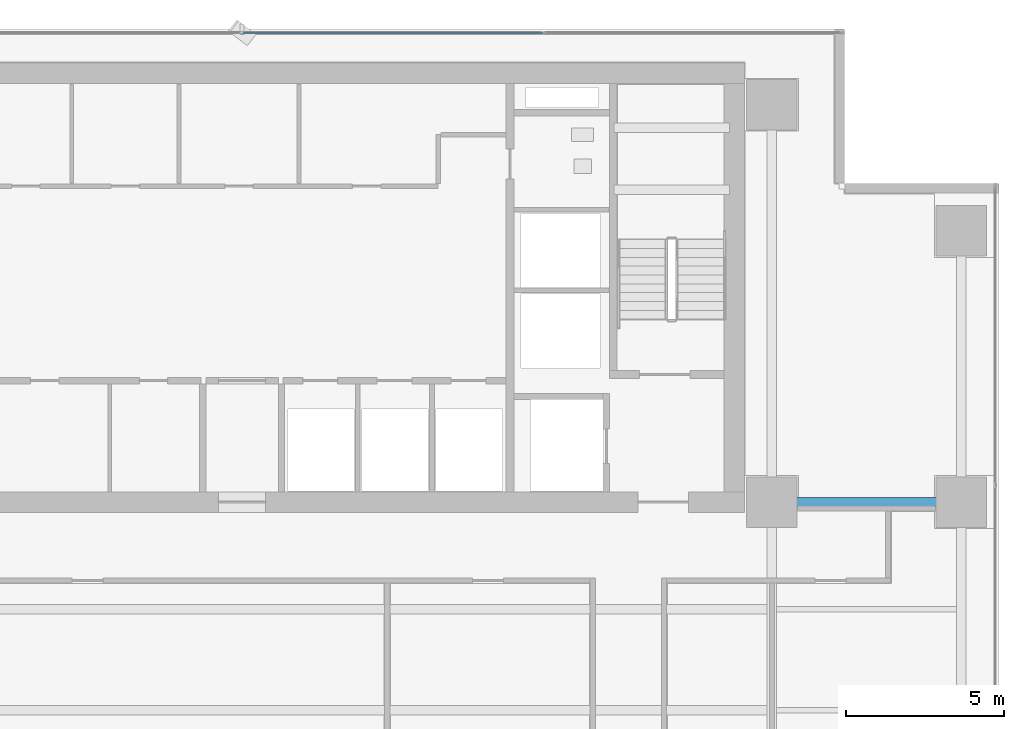
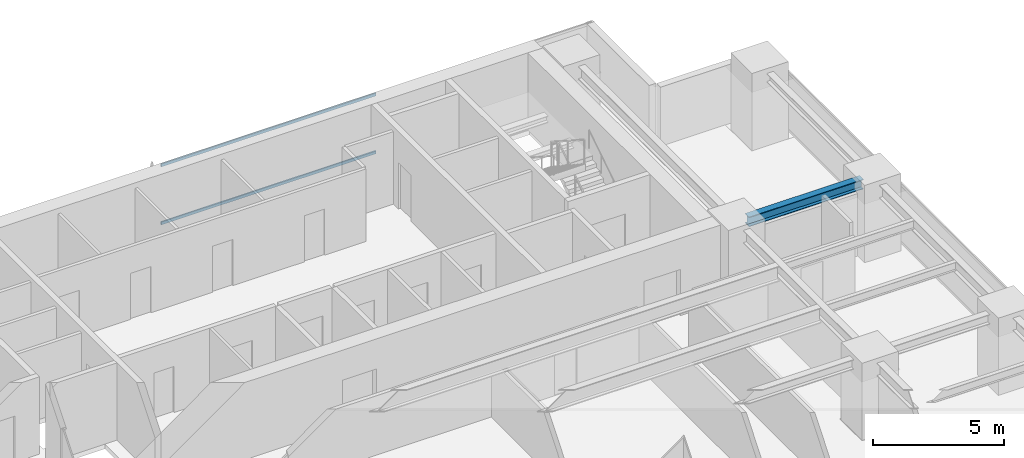
# One storey, part 17 of 27: 2 members, 1 beam, 1 element without a shape of its own.
"""IFC4 building model written with IfcOpenShell, lengths in metres."""

from ifc_helpers import new_model, si_unit, direction, frame, origin, origin_2d, place, context, subcontext, project, spatial, hollow_rectangle, i_section, extrude, source, transform, mapped, material, layer, layer_set, material_profile, profile_set, type_object, element, aggregate, save


model = new_model("IFC4")

# Units and contexts
model_context = context("Model", 3, precision=1e-05, world=origin(), true_north=direction((0.0, 1.0)))
body_context = subcontext(model_context, "Body", "Model", "MODEL_VIEW")
ifc_project = project(units=[si_unit("LENGTHUNIT", "METRE"), si_unit("AREAUNIT", "SQUARE_METRE"), si_unit("VOLUMEUNIT", "CUBIC_METRE"), si_unit("PLANEANGLEUNIT", "RADIAN"), si_unit("MASSUNIT", "GRAM", prefix="KILO")], contexts=[model_context])

# Site, building, storey
site_placement = place(None, origin())
site = spatial("IfcSite", under=ifc_project, at=site_placement, CompositionType="ELEMENT")
building_placement = place(site_placement, origin())
building = spatial("IfcBuilding", under=site, at=building_placement, Name="Sumidabori Civic Tower", CompositionType="ELEMENT")
storey_placement = place(building_placement, frame((0.0, 0.0, 164.0)))
storey = spatial("IfcBuildingStorey", under=building, at=storey_placement, Name="L42", CompositionType="ELEMENT", Elevation=164.0)

# Beam
ifc_material_1 = material(Name="Steel SN490", Category="steel")
ifc_material_profile_1 = material_profile(ifc_material_1, i_section(OverallWidth=0.300048828125, OverallDepth=0.449951171875, WebThickness=0.013916015625, FlangeThickness=0.02587890625, at=origin_2d()), Name="HE 450 B")
ifc_profile_set_1 = profile_set([ifc_material_profile_1], Name="Steel SN490")
beam_type = type_object("IfcBeamType", Name="BM-GIRD-450", PredefinedType="BEAM", material=ifc_profile_set_1)
shared_shape_1 = source(origin(), body_context, "Body", "SweptSolid", [
    extrude(i_section(OverallWidth=0.300048828125, OverallDepth=0.449951171875, WebThickness=0.013916015625, FlangeThickness=0.02587890625, at=origin_2d()), origin(), (0.0, 0.0, 1.0), 5.0400390625),
])
beam_placement = place(storey_placement, frame((17.280029296875, 10.199951171875, 3.155029296875), z_axis=(1.0, 0.0, 0.0), x_axis=(0.0, 1.0, 0.0)))
element("IfcBeam", 1, at=beam_placement, inside=storey, type_object=beam_type, Name="Primary Girder L42 GX-18", PredefinedType="BEAM", context=body_context, shape_type="MappedRepresentation", body=[
    mapped(shared_shape_1, transform((0.0, 0.0, 0.0), x_axis=(1.0, 0.0, 0.0), y_axis=(0.0, 1.0, 0.0), z_axis=(0.0, 0.0, 1.0), scale=1.0)),
])

# Curtain wall, members
ifc_material_2 = material(Name="Anodised Bronze Aluminium AW-6063-T6", Category="aluminium")
ifc_layer = layer(ifc_material_2, 0.179931640625, Name="Anodised Bronze Aluminium AW-6063-T6")
ifc_layer_set = layer_set([ifc_layer], Name="Anodised Bronze Aluminium AW-6063-T6")
curtain_wall_type = type_object("IfcCurtainWallType", Name="CW-SYS-3", PredefinedType="NOTDEFINED", material=ifc_layer_set)
curtain_wall_placement = place(storey_placement, origin())
curtain_wall = element("IfcCurtainWall", 2, at=curtain_wall_placement, inside=storey, type_object=curtain_wall_type, Name="Curtain Wall CW:L42:R07", PredefinedType="NOTDEFINED")
ifc_material_profile_2 = material_profile(ifc_material_2, hollow_rectangle(XDim=0.06005859375, YDim=0.1298828125, WallThickness=0.0048828125, at=origin_2d()), Name="ALU TRANSOM 130x60")
ifc_profile_set_2 = profile_set([ifc_material_profile_2], Name="Anodised Bronze Aluminium AW-6063-T6")
member_type = type_object("IfcMemberType", Name="CW-TRN-130", PredefinedType="USERDEFINED", material=ifc_profile_set_2)
shared_shape_2 = source(origin(), body_context, "Body", "SweptSolid", [
    extrude(hollow_rectangle(XDim=0.06005859375, YDim=0.1298828125, WallThickness=0.0048828125, at=origin_2d()), origin(), (0.0, 0.0, 1.0), 9.469970703125),
])
member_1_placement = place(storey_placement, frame((9.50244140625, 25.080078125, 0.030029296875), z_axis=(-1.0, 0.0, 0.0), x_axis=(0.0, -1.0, 0.0)))
member_1 = element("IfcMember", 3, at=member_1_placement, type_object=member_type, Name="CW-3 transom 2.1", ObjectType="TRANSOM", PredefinedType="USERDEFINED", context=body_context, shape_type="MappedRepresentation", body=[
    mapped(shared_shape_2, transform((0.0, 0.0, 0.0), x_axis=(1.0, 0.0, 0.0), y_axis=(0.0, 1.0, 0.0), z_axis=(0.0, 0.0, 1.0), scale=1.0)),
])
member_2_placement = place(storey_placement, frame((9.50244140625, 25.080078125, 2.72998046875), z_axis=(-1.0, 0.0, 0.0), x_axis=(0.0, -1.0, 0.0)))
member_2 = element("IfcMember", 4, at=member_2_placement, type_object=member_type, Name="CW-3 transom 2.2", ObjectType="TRANSOM", PredefinedType="USERDEFINED", context=body_context, shape_type="MappedRepresentation", body=[
    mapped(shared_shape_2, transform((0.0, 0.0, 0.0), x_axis=(1.0, 0.0, 0.0), y_axis=(0.0, 1.0, 0.0), z_axis=(0.0, 0.0, 1.0), scale=1.0)),
])
aggregate(curtain_wall, [member_1, member_2])

save(model, "model.ifc")
